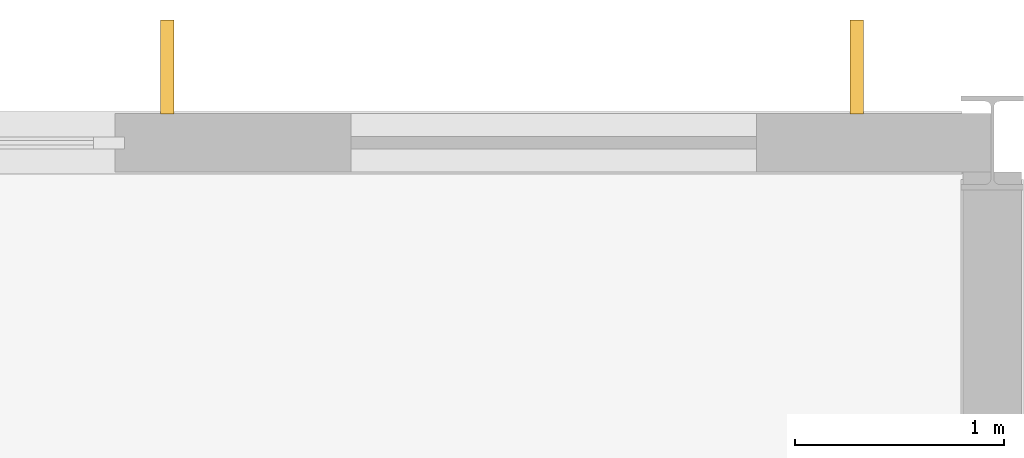
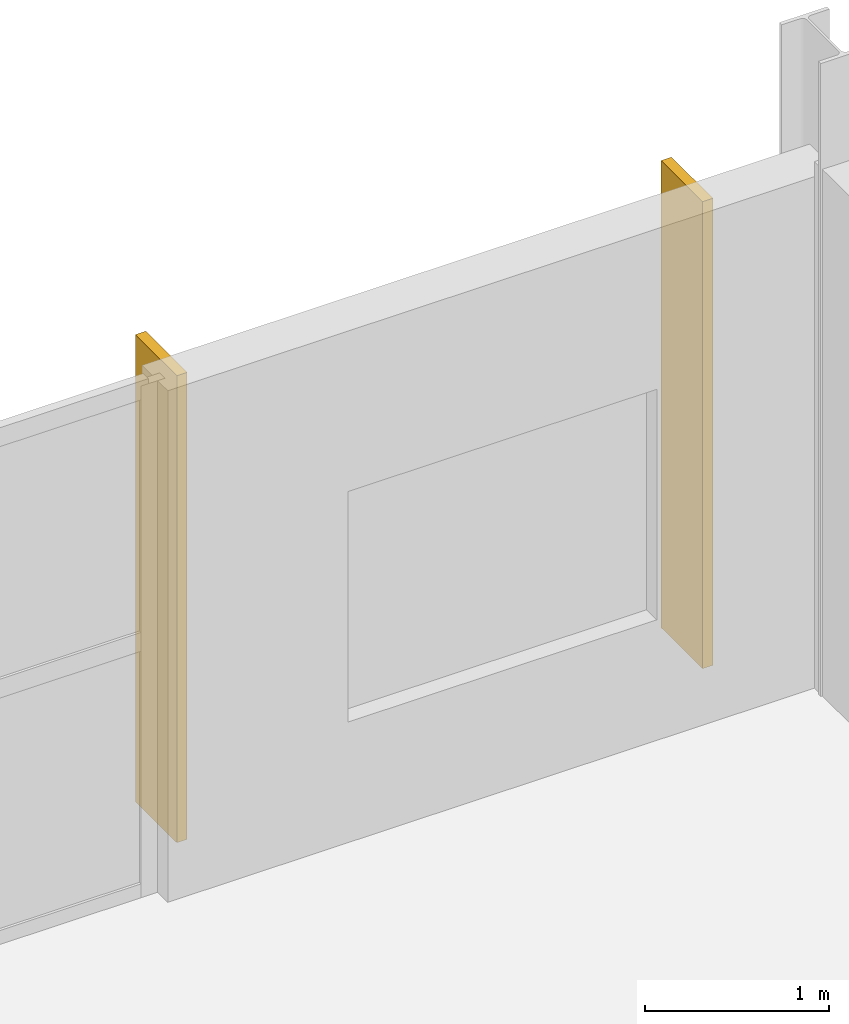
# One storey, part 39 of 39: 2 shading devices.
"""IFC4 building model written with IfcOpenShell, lengths in metres."""

from ifc_helpers import new_model, si_unit, direction, frame, origin, origin_2d, place, context, subcontext, project, spatial, rectangle, extrude, material, type_object, element, save


model = new_model("IFC4")

# Units and contexts
model_context = context("Model", 3, precision=1e-05, world=origin(), true_north=direction((0.0, 1.0)))
body_context = subcontext(model_context, "Body", "Model", "MODEL_VIEW")
ifc_project = project(units=[si_unit("LENGTHUNIT", "METRE"), si_unit("AREAUNIT", "SQUARE_METRE"), si_unit("VOLUMEUNIT", "CUBIC_METRE"), si_unit("PLANEANGLEUNIT", "RADIAN"), si_unit("MASSUNIT", "GRAM", prefix="KILO")], contexts=[model_context])

# Site, building, storey
site_placement = place(None, origin())
site = spatial("IfcSite", under=ifc_project, at=site_placement, CompositionType="ELEMENT")
building_placement = place(site_placement, origin())
building = spatial("IfcBuilding", under=site, at=building_placement, Name="Kimbaza Rail Terminus", CompositionType="ELEMENT")
storey_placement = place(building_placement, frame((0.0, 0.0, 16.800048828125)))
storey = spatial("IfcBuildingStorey", under=building, at=storey_placement, Name="L03", CompositionType="ELEMENT", Elevation=16.800048828125)

# Shading devices
ifc_material = material(Name="Champagne anodised extruded aluminium", Category="aluminium")
shading_device_type = type_object("IfcShadingDeviceType", Name="ARC-SHD-FIN450", PredefinedType="USERDEFINED", material=ifc_material)
for number, where, z_axis, x_axis, name in (
    (1, (152.050048828125, 133.363037109375, 0.14990234375), (0.0, 0.0, 1.0), (1.0, 0.0, 0.0), "North Solar Fin L03 Bay 6.3"),
    (2, (155.35009765625, 133.363037109375, 0.14990234375), (0.0, 0.0, 1.0), (1.0, 0.0, 0.0), "North Solar Fin L03 Bay 6.4"),
):
    element("IfcShadingDevice", number, at=place(storey_placement, frame(where, z_axis=z_axis, x_axis=x_axis)), inside=storey, type_object=shading_device_type, Name=name, ObjectType="BRISE SOLEIL FIN", PredefinedType="USERDEFINED", context=body_context, shape_type="SweptSolid", body=[
        extrude(rectangle(XDim=0.06494140625, YDim=0.449951171875, at=origin_2d()), origin(), (0.0, 0.0, 1.0), 3.10009765625),
    ])

save(model, "model.ifc")
